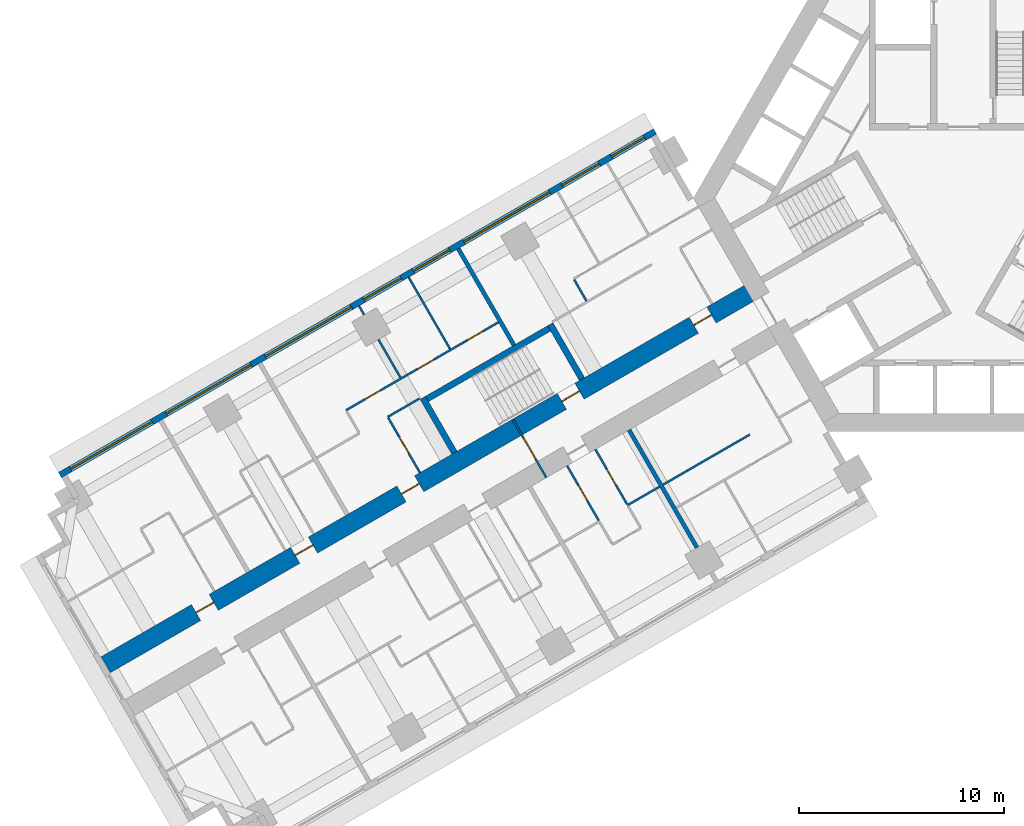
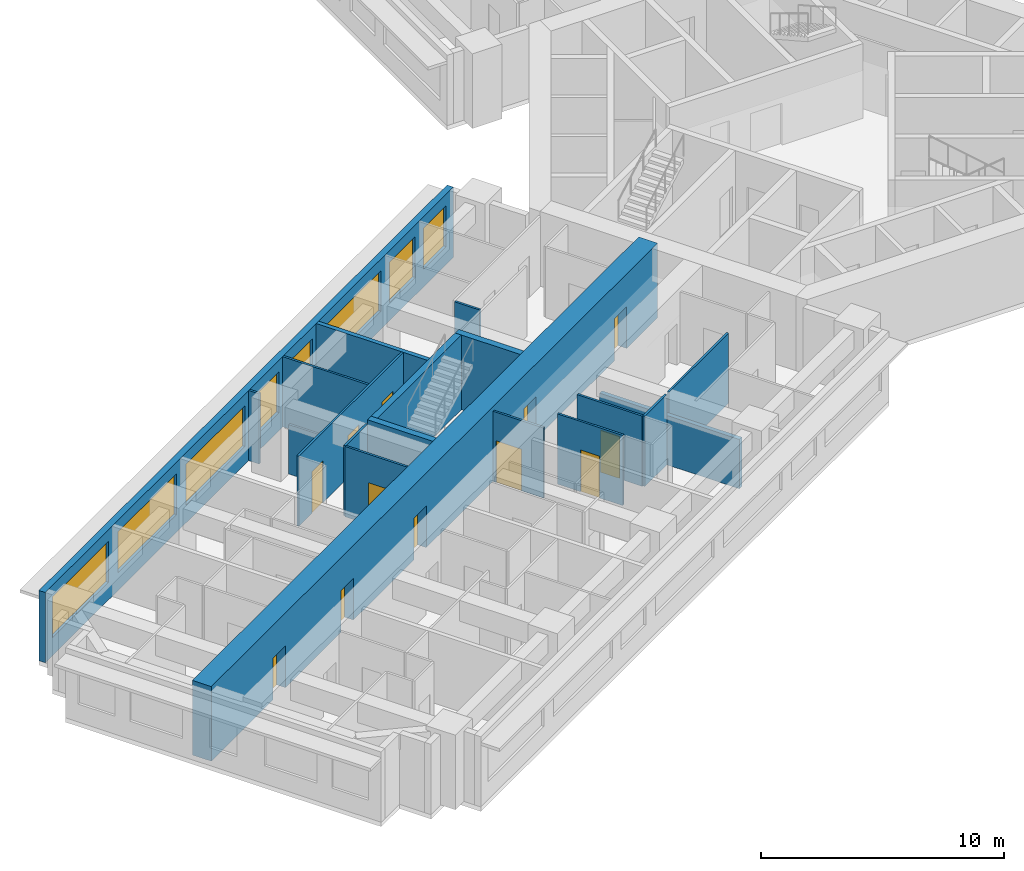
# One storey, part 5 of 16: 19 walls, 12 doors, 8 windows, 20 openings.
"""IFC4 building model written with IfcOpenShell, lengths in metres."""

from ifc_helpers import new_model, si_unit, direction, frame, frame_2d, origin, place, context, subcontext, project, spatial, rectangle, extrude, material, layer, layer_set, type_object, element, fill, save


model = new_model("IFC4")

# Units and contexts
model_context = context("Model", 3, precision=1e-05, world=origin(), true_north=direction((0.0, 1.0)))
body_context = subcontext(model_context, "Body", "Model", "MODEL_VIEW")
ifc_project = project(units=[si_unit("LENGTHUNIT", "METRE"), si_unit("AREAUNIT", "SQUARE_METRE"), si_unit("VOLUMEUNIT", "CUBIC_METRE"), si_unit("PLANEANGLEUNIT", "RADIAN"), si_unit("MASSUNIT", "GRAM", prefix="KILO")], contexts=[model_context])

# Site, building, storey
site_placement = place(None, origin())
site = spatial("IfcSite", under=ifc_project, at=site_placement, CompositionType="ELEMENT")
building_placement = place(site_placement, origin())
building = spatial("IfcBuilding", under=site, at=building_placement, Name="Impinga Residences", CompositionType="ELEMENT")
storey_placement = place(building_placement, frame((0.0, 0.0, 59.75)))
storey = spatial("IfcBuildingStorey", under=building, at=storey_placement, Name="L14", CompositionType="ELEMENT", Elevation=59.75)

# Wall, openings, doors
ifc_material_1 = material(Name="Concrete C70/85", Category="concrete")
ifc_layer_1 = layer(ifc_material_1, 0.89990234375)
ifc_layer_set_1 = layer_set([ifc_layer_1], Name="Concrete C70/85")
wall_type_1 = type_object("IfcWallType", Name="BW1 corridor buttress wall, L05 to L22 900", PredefinedType="SHEAR", material=ifc_layer_set_1)
wall_1_placement = place(storey_placement, frame((-10.1103515625, -4.451416015625, 0.0), z_axis=(0.0, 0.0, 1.0), x_axis=(-0.866025284237, -0.500000207062, 0.0)))
wall_1 = element("IfcWall", 1, at=wall_1_placement, inside=storey, type_object=wall_type_1, Name="Corridor wall BW1 WD L14", PredefinedType="SHEAR", context=body_context, shape_type="SweptSolid", body=[
    extrude(rectangle(XDim=36.75, YDim=0.89990234375, at=frame_2d((18.375, 0.0))), origin(), (0.0, 0.0, 1.0), 3.75),
])
opening_1_placement = place(wall_1_placement, frame((10.0, 0.0, 0.0)))
opening_1 = element("IfcOpeningElement", 2, at=opening_1_placement, cuts=wall_1, Name="Opening D5", PredefinedType="OPENING", context=body_context, shape_type="SweptSolid", body=[
    extrude(rectangle(XDim=1.0, YDim=2.10009765625, at=frame_2d((0.5, 1.050048828125))), frame((0.0, 0.4599609375, 0.0), z_axis=(0.0, -1.0, 0.0), x_axis=(1.0, 0.0, 0.0)), (0.0, 0.0, 1.0), 0.919921875),
])
opening_2_placement = place(wall_1_placement, frame((2.550048828125, 0.0, 0.0)))
opening_2 = element("IfcOpeningElement", 3, at=opening_2_placement, cuts=wall_1, Name="Opening D1", PredefinedType="OPENING", context=body_context, shape_type="SweptSolid", body=[
    extrude(rectangle(XDim=1.0, YDim=2.10009765625, at=frame_2d((0.5, 1.050048828125))), frame((0.0, 0.4599609375, 0.0), z_axis=(0.0, -1.0, 0.0), x_axis=(1.0, 0.0, 0.0)), (0.0, 0.0, 1.0), 0.919921875),
])
opening_3_placement = place(wall_1_placement, frame((19.050048828125, 0.0, 0.0)))
opening_3 = element("IfcOpeningElement", 4, at=opening_3_placement, cuts=wall_1, Name="Opening D1", PredefinedType="OPENING", context=body_context, shape_type="SweptSolid", body=[
    extrude(rectangle(XDim=1.0, YDim=2.10009765625, at=frame_2d((0.5, 1.050048828125))), frame((0.0, 0.4599609375, 0.0), z_axis=(0.0, -1.0, 0.0), x_axis=(1.0, 0.0, 0.0)), (0.0, 0.0, 1.0), 0.919921875),
])
opening_4_placement = place(wall_1_placement, frame((25.050048828125, 0.0, 0.0)))
opening_4 = element("IfcOpeningElement", 5, at=opening_4_placement, cuts=wall_1, Name="Opening D1", PredefinedType="OPENING", context=body_context, shape_type="SweptSolid", body=[
    extrude(rectangle(XDim=1.0, YDim=2.10009765625, at=frame_2d((0.5, 1.050048828125))), frame((0.0, 0.4599609375, 0.0), z_axis=(0.0, -1.0, 0.0), x_axis=(1.0, 0.0, 0.0)), (0.0, 0.0, 1.0), 0.919921875),
])
opening_5_placement = place(wall_1_placement, frame((30.64990234375, 0.0, 0.0)))
opening_5 = element("IfcOpeningElement", 6, at=opening_5_placement, cuts=wall_1, Name="Opening D1", PredefinedType="OPENING", context=body_context, shape_type="SweptSolid", body=[
    extrude(rectangle(XDim=1.0, YDim=2.10009765625, at=frame_2d((0.5, 1.050048828125))), frame((0.0, 0.4599609375, 0.0), z_axis=(0.0, -1.0, 0.0), x_axis=(1.0, 0.0, 0.0)), (0.0, 0.0, 1.0), 0.919921875),
])
ifc_material_2 = material(Name="Timber door set", Category="wood")
door_type_1 = type_object("IfcDoorType", Name="D1 apartment entrance door 1000x2100", OperationType="SINGLE_SWING_LEFT", PredefinedType="DOOR", material=ifc_material_2)
door_1_placement = place(opening_2_placement, origin())
door_1 = element("IfcDoor", 7, at=door_1_placement, inside=storey, type_object=door_type_1, Name="Apartment L14-WF1 entrance", OperationType="SINGLE_SWING_LEFT", OverallHeight=2.10009765625, OverallWidth=1.0, PredefinedType="DOOR", context=body_context, shape_type="SweptSolid", body=[
    extrude(rectangle(XDim=1.0, YDim=2.10009765625, at=frame_2d((0.5, 1.050048828125))), frame((0.0, 0.02490234375, 0.0), z_axis=(0.0, -1.0, 0.0), x_axis=(1.0, 0.0, 0.0)), (0.0, 0.0, 1.0), 0.050048828125),
])
fill(opening_2, door_1)
door_2_placement = place(opening_3_placement, origin())
door_2 = element("IfcDoor", 8, at=door_2_placement, inside=storey, type_object=door_type_1, Name="Apartment L14-WF2 entrance", OperationType="SINGLE_SWING_RIGHT", OverallHeight=2.10009765625, OverallWidth=1.0, PredefinedType="DOOR", context=body_context, shape_type="SweptSolid", body=[
    extrude(rectangle(XDim=1.0, YDim=2.10009765625, at=frame_2d((0.5, 1.050048828125))), frame((0.0, 0.02490234375, 0.0), z_axis=(0.0, -1.0, 0.0), x_axis=(1.0, 0.0, 0.0)), (0.0, 0.0, 1.0), 0.050048828125),
])
fill(opening_3, door_2)
door_3_placement = place(opening_4_placement, origin())
door_3 = element("IfcDoor", 9, at=door_3_placement, inside=storey, type_object=door_type_1, Name="Apartment L14-WF3 entrance", OperationType="SINGLE_SWING_RIGHT", OverallHeight=2.10009765625, OverallWidth=1.0, PredefinedType="DOOR", context=body_context, shape_type="SweptSolid", body=[
    extrude(rectangle(XDim=1.0, YDim=2.10009765625, at=frame_2d((0.5, 1.050048828125))), frame((0.0, 0.02490234375, 0.0), z_axis=(0.0, -1.0, 0.0), x_axis=(1.0, 0.0, 0.0)), (0.0, 0.0, 1.0), 0.050048828125),
])
fill(opening_4, door_3)
door_4_placement = place(opening_5_placement, origin())
door_4 = element("IfcDoor", 10, at=door_4_placement, inside=storey, type_object=door_type_1, Name="Apartment L14-WF4 entrance", OperationType="SINGLE_SWING_RIGHT", OverallHeight=2.10009765625, OverallWidth=1.0, PredefinedType="DOOR", context=body_context, shape_type="SweptSolid", body=[
    extrude(rectangle(XDim=1.0, YDim=2.10009765625, at=frame_2d((0.5, 1.050048828125))), frame((0.0, 0.02490234375, 0.0), z_axis=(0.0, -1.0, 0.0), x_axis=(1.0, 0.0, 0.0)), (0.0, 0.0, 1.0), 0.050048828125),
])
fill(opening_5, door_4)
door_type_2 = type_object("IfcDoorType", Name="D5 stair door 1000x2100", OperationType="SINGLE_SWING_LEFT", PredefinedType="DOOR", material=ifc_material_2)
door_5_placement = place(opening_1_placement, origin())
door_5 = element("IfcDoor", 11, at=door_5_placement, inside=storey, type_object=door_type_2, Name="Wing stair door W", OperationType="SINGLE_SWING_LEFT", OverallHeight=2.10009765625, OverallWidth=1.0, PredefinedType="DOOR", context=body_context, shape_type="SweptSolid", body=[
    extrude(rectangle(XDim=1.0, YDim=2.10009765625, at=frame_2d((0.5, 1.050048828125))), frame((0.0, 0.02490234375, 0.0), z_axis=(0.0, -1.0, 0.0), x_axis=(1.0, 0.0, 0.0)), (0.0, 0.0, 1.0), 0.050048828125),
])
fill(opening_1, door_5)

# Wall, opening, door
ifc_material_3 = material(Name="Concrete blockwork", Category="masonry")
ifc_layer_2 = layer(ifc_material_3, 0.10009765625)
ifc_layer_set_2 = layer_set([ifc_layer_2], Name="CP1 core room partition, blockwork 100")
wall_type_2 = type_object("IfcWallType", Name="CP1 core room partition, blockwork 100", PredefinedType="PARTITIONING", material=ifc_layer_set_2)
wall_2_placement = place(storey_placement, frame((-20.392578125, -13.678955078125, 0.0), z_axis=(0.0, 0.0, 1.0), x_axis=(-0.50002983664, 0.866008176907, 0.0)))
wall_2 = element("IfcWall", 12, at=wall_2_placement, inside=storey, type_object=wall_type_2, Name="Core room partition, blockwork L14:W:SCR", PredefinedType="PARTITIONING", context=body_context, shape_type="SweptSolid", body=[
    extrude(rectangle(XDim=3.300048828125, YDim=0.10009765625, at=frame_2d((1.64990234375, 0.0))), origin(), (0.0, 0.0, 1.0), 3.530029296875),
])
opening_6_placement = place(wall_2_placement, frame((1.050048828125, 0.0, 0.0)))
opening_6 = element("IfcOpeningElement", 13, at=opening_6_placement, cuts=wall_2, Name="Opening D3", PredefinedType="OPENING", context=body_context, shape_type="SweptSolid", body=[
    extrude(rectangle(XDim=1.199951171875, YDim=2.10009765625, at=frame_2d((0.60009765625, 1.050048828125))), frame((0.0, 0.06005859375, 0.0), z_axis=(0.0, -1.0, 0.0), x_axis=(1.0, 0.0, 0.0)), (0.0, 0.0, 1.0), 0.1201171875),
])
door_type_3 = type_object("IfcDoorType", Name="D3 room door, leaf and a half 1200x2100", OperationType="DOUBLE_SWING_LEFT", PredefinedType="DOOR", material=ifc_material_2)
door_6_placement = place(opening_6_placement, origin())
door_6 = element("IfcDoor", 14, at=door_6_placement, inside=storey, type_object=door_type_3, Name="Corridor smoke door W", OperationType="DOUBLE_SWING_LEFT", OverallHeight=2.10009765625, OverallWidth=1.199951171875, PredefinedType="DOOR", context=body_context, shape_type="SweptSolid", body=[
    extrude(rectangle(XDim=1.199951171875, YDim=2.10009765625, at=frame_2d((0.60009765625, 1.050048828125))), frame((0.0, 0.02490234375, 0.0), z_axis=(0.0, -1.0, 0.0), x_axis=(1.0, 0.0, 0.0)), (0.0, 0.0, 1.0), 0.050048828125),
])
fill(opening_6, door_6)

# Wall, openings, windows
ifc_material_4 = material(Name="Terracotta rainscreen on blockwork", Category="masonry")
ifc_layer_3 = layer(ifc_material_4, 0.300048828125)
ifc_layer_set_3 = layer_set([ifc_layer_3], Name="EW1 external wall, terracotta rainscreen on blockwork 300")
wall_type_3 = type_object("IfcWallType", Name="EW1 external wall, terracotta rainscreen on blockwork 300", PredefinedType="SOLIDWALL", material=ifc_layer_set_3)
wall_3_placement = place(storey_placement, frame((-44.17333984375, -13.552490234375, 0.0), z_axis=(0.0, 0.0, 1.0), x_axis=(0.866024291668, 0.500001926238, 0.0)))
wall_3 = element("IfcWall", 15, at=wall_3_placement, inside=storey, type_object=wall_type_3, Name="External wall EW1 L14", PredefinedType="SOLIDWALL", context=body_context, shape_type="SweptSolid", body=[
    extrude(rectangle(XDim=33.599853515625, YDim=0.300048828125, at=frame_2d((16.7998046875, 0.0))), origin(), (0.0, 0.0, 1.0), 3.530029296875),
])
opening_7_placement = place(wall_3_placement, frame((0.60009765625, 0.0, 0.89990234375)))
opening_7 = element("IfcOpeningElement", 16, at=opening_7_placement, cuts=wall_3, Name="Opening W3", PredefinedType="OPENING", context=body_context, shape_type="SweptSolid", body=[
    extrude(rectangle(XDim=4.60009765625, YDim=2.050048828125, at=frame_2d((2.300048828125, 1.02490234375))), frame((0.0, 0.159912109375, 0.0), z_axis=(0.0, -1.0, 0.0), x_axis=(1.0, 0.0, 0.0)), (0.0, 0.0, 1.0), 0.320068359375),
])
opening_8_placement = place(wall_3_placement, frame((6.0, 0.0, 0.89990234375)))
opening_8 = element("IfcOpeningElement", 17, at=opening_8_placement, cuts=wall_3, Name="Opening W8", PredefinedType="OPENING", context=body_context, shape_type="SweptSolid", body=[
    extrude(rectangle(XDim=4.800048828125, YDim=2.050048828125, at=frame_2d((2.39990234375, 1.02490234375))), frame((0.0, 0.159912109375, 0.0), z_axis=(0.0, -1.0, 0.0), x_axis=(1.0, 0.0, 0.0)), (0.0, 0.0, 1.0), 0.320068359375),
])
opening_9_placement = place(wall_3_placement, frame((11.60009765625, 0.0, 0.89990234375)))
opening_9 = element("IfcOpeningElement", 18, at=opening_9_placement, cuts=wall_3, Name="Opening W6", PredefinedType="OPENING", context=body_context, shape_type="SweptSolid", body=[
    extrude(rectangle(XDim=4.85009765625, YDim=2.050048828125, at=frame_2d((2.425048828125, 1.02490234375))), frame((0.0, 0.159912109375, 0.0), z_axis=(0.0, -1.0, 0.0), x_axis=(1.0, 0.0, 0.0)), (0.0, 0.0, 1.0), 0.320068359375),
])
opening_10_placement = place(wall_3_placement, frame((17.14990234375, 0.0, 0.89990234375)))
opening_10 = element("IfcOpeningElement", 19, at=opening_10_placement, cuts=wall_3, Name="Opening W9", PredefinedType="OPENING", context=body_context, shape_type="SweptSolid", body=[
    extrude(rectangle(XDim=2.10009765625, YDim=2.050048828125, at=frame_2d((1.050048828125, 1.02490234375))), frame((0.0, 0.159912109375, 0.0), z_axis=(0.0, -1.0, 0.0), x_axis=(1.0, 0.0, 0.0)), (0.0, 0.0, 1.0), 0.320068359375),
])
opening_11_placement = place(wall_3_placement, frame((19.949951171875, 0.0, 0.89990234375)))
opening_11 = element("IfcOpeningElement", 20, at=opening_11_placement, cuts=wall_3, Name="Opening W14", PredefinedType="OPENING", context=body_context, shape_type="SweptSolid", body=[
    extrude(rectangle(XDim=2.050048828125, YDim=2.050048828125, at=frame_2d((1.02490234375, 1.02490234375))), frame((0.0, 0.159912109375, 0.0), z_axis=(0.0, -1.0, 0.0), x_axis=(1.0, 0.0, 0.0)), (0.0, 0.0, 1.0), 0.320068359375),
])
opening_12_placement = place(wall_3_placement, frame((22.800048828125, 0.0, 0.89990234375)))
opening_12 = element("IfcOpeningElement", 21, at=opening_12_placement, cuts=wall_3, Name="Opening W6", PredefinedType="OPENING", context=body_context, shape_type="SweptSolid", body=[
    extrude(rectangle(XDim=4.85009765625, YDim=2.050048828125, at=frame_2d((2.425048828125, 1.02490234375))), frame((0.0, 0.159912109375, 0.0), z_axis=(0.0, -1.0, 0.0), x_axis=(1.0, 0.0, 0.0)), (0.0, 0.0, 1.0), 0.320068359375),
])
opening_13_placement = place(wall_3_placement, frame((28.35009765625, 0.0, 0.89990234375)))
opening_13 = element("IfcOpeningElement", 22, at=opening_13_placement, cuts=wall_3, Name="Opening W9", PredefinedType="OPENING", context=body_context, shape_type="SweptSolid", body=[
    extrude(rectangle(XDim=2.10009765625, YDim=2.050048828125, at=frame_2d((1.050048828125, 1.02490234375))), frame((0.0, 0.159912109375, 0.0), z_axis=(0.0, -1.0, 0.0), x_axis=(1.0, 0.0, 0.0)), (0.0, 0.0, 1.0), 0.320068359375),
])
opening_14_placement = place(wall_3_placement, frame((31.14990234375, 0.0, 0.89990234375)))
opening_14 = element("IfcOpeningElement", 23, at=opening_14_placement, cuts=wall_3, Name="Opening W15", PredefinedType="OPENING", context=body_context, shape_type="SweptSolid", body=[
    extrude(rectangle(XDim=1.85009765625, YDim=2.050048828125, at=frame_2d((0.925048828125, 1.02490234375))), frame((0.0, 0.159912109375, 0.0), z_axis=(0.0, -1.0, 0.0), x_axis=(1.0, 0.0, 0.0)), (0.0, 0.0, 1.0), 0.320068359375),
])
ifc_material_5 = material(Name="Aluminium window, clear double glazing", Category="aluminium")
window_type_1 = type_object("IfcWindowType", Name="W14 ribbon window 2050x2050", PartitioningType="SINGLE_PANEL", PredefinedType="WINDOW", material=ifc_material_5)
window_1_placement = place(opening_11_placement, origin())
window_1 = element("IfcWindow", 24, at=window_1_placement, inside=storey, type_object=window_type_1, Name="Window L14", OverallHeight=2.050048828125, OverallWidth=2.050048828125, PartitioningType="SINGLE_PANEL", PredefinedType="WINDOW", context=body_context, shape_type="SweptSolid", body=[
    extrude(rectangle(XDim=2.050048828125, YDim=2.050048828125, at=frame_2d((1.02490234375, 1.02490234375))), frame((0.0, 0.030029296875, 0.0), z_axis=(0.0, -1.0, 0.0), x_axis=(1.0, 0.0, 0.0)), (0.0, 0.0, 1.0), 0.06005859375),
])
fill(opening_11, window_1)
window_type_2 = type_object("IfcWindowType", Name="W15 ribbon window 1850x2050", PartitioningType="SINGLE_PANEL", PredefinedType="WINDOW", material=ifc_material_5)
window_2_placement = place(opening_14_placement, origin())
window_2 = element("IfcWindow", 25, at=window_2_placement, inside=storey, type_object=window_type_2, Name="Window L14", OverallHeight=2.050048828125, OverallWidth=1.85009765625, PartitioningType="SINGLE_PANEL", PredefinedType="WINDOW", context=body_context, shape_type="SweptSolid", body=[
    extrude(rectangle(XDim=1.85009765625, YDim=2.050048828125, at=frame_2d((0.925048828125, 1.02490234375))), frame((0.0, 0.030029296875, 0.0), z_axis=(0.0, -1.0, 0.0), x_axis=(1.0, 0.0, 0.0)), (0.0, 0.0, 1.0), 0.06005859375),
])
fill(opening_14, window_2)
window_type_3 = type_object("IfcWindowType", Name="W3 ribbon window 4600x2050", PartitioningType="SINGLE_PANEL", PredefinedType="WINDOW", material=ifc_material_5)
window_3_placement = place(opening_7_placement, origin())
window_3 = element("IfcWindow", 26, at=window_3_placement, inside=storey, type_object=window_type_3, Name="Window L14", OverallHeight=2.050048828125, OverallWidth=4.60009765625, PartitioningType="SINGLE_PANEL", PredefinedType="WINDOW", context=body_context, shape_type="SweptSolid", body=[
    extrude(rectangle(XDim=4.60009765625, YDim=2.050048828125, at=frame_2d((2.300048828125, 1.02490234375))), frame((0.0, 0.030029296875, 0.0), z_axis=(0.0, -1.0, 0.0), x_axis=(1.0, 0.0, 0.0)), (0.0, 0.0, 1.0), 0.06005859375),
])
fill(opening_7, window_3)
window_type_4 = type_object("IfcWindowType", Name="W6 ribbon window 4850x2050", PartitioningType="SINGLE_PANEL", PredefinedType="WINDOW", material=ifc_material_5)
window_4_placement = place(opening_9_placement, origin())
window_4 = element("IfcWindow", 27, at=window_4_placement, inside=storey, type_object=window_type_4, Name="Window L14", OverallHeight=2.050048828125, OverallWidth=4.85009765625, PartitioningType="SINGLE_PANEL", PredefinedType="WINDOW", context=body_context, shape_type="SweptSolid", body=[
    extrude(rectangle(XDim=4.85009765625, YDim=2.050048828125, at=frame_2d((2.425048828125, 1.02490234375))), frame((0.0, 0.030029296875, 0.0), z_axis=(0.0, -1.0, 0.0), x_axis=(1.0, 0.0, 0.0)), (0.0, 0.0, 1.0), 0.06005859375),
])
fill(opening_9, window_4)
window_5_placement = place(opening_12_placement, origin())
window_5 = element("IfcWindow", 28, at=window_5_placement, inside=storey, type_object=window_type_4, Name="Window L14", OverallHeight=2.050048828125, OverallWidth=4.85009765625, PartitioningType="SINGLE_PANEL", PredefinedType="WINDOW", context=body_context, shape_type="SweptSolid", body=[
    extrude(rectangle(XDim=4.85009765625, YDim=2.050048828125, at=frame_2d((2.425048828125, 1.02490234375))), frame((0.0, 0.030029296875, 0.0), z_axis=(0.0, -1.0, 0.0), x_axis=(1.0, 0.0, 0.0)), (0.0, 0.0, 1.0), 0.06005859375),
])
fill(opening_12, window_5)
window_type_5 = type_object("IfcWindowType", Name="W8 ribbon window 4800x2050", PartitioningType="SINGLE_PANEL", PredefinedType="WINDOW", material=ifc_material_5)
window_6_placement = place(opening_8_placement, origin())
window_6 = element("IfcWindow", 29, at=window_6_placement, inside=storey, type_object=window_type_5, Name="Window L14", OverallHeight=2.050048828125, OverallWidth=4.800048828125, PartitioningType="SINGLE_PANEL", PredefinedType="WINDOW", context=body_context, shape_type="SweptSolid", body=[
    extrude(rectangle(XDim=4.800048828125, YDim=2.050048828125, at=frame_2d((2.39990234375, 1.02490234375))), frame((0.0, 0.030029296875, 0.0), z_axis=(0.0, -1.0, 0.0), x_axis=(1.0, 0.0, 0.0)), (0.0, 0.0, 1.0), 0.06005859375),
])
fill(opening_8, window_6)
window_type_6 = type_object("IfcWindowType", Name="W9 ribbon window 2100x2050", PartitioningType="SINGLE_PANEL", PredefinedType="WINDOW", material=ifc_material_5)
window_7_placement = place(opening_10_placement, origin())
window_7 = element("IfcWindow", 30, at=window_7_placement, inside=storey, type_object=window_type_6, Name="Window L14", OverallHeight=2.050048828125, OverallWidth=2.10009765625, PartitioningType="SINGLE_PANEL", PredefinedType="WINDOW", context=body_context, shape_type="SweptSolid", body=[
    extrude(rectangle(XDim=2.10009765625, YDim=2.050048828125, at=frame_2d((1.050048828125, 1.02490234375))), frame((0.0, 0.030029296875, 0.0), z_axis=(0.0, -1.0, 0.0), x_axis=(1.0, 0.0, 0.0)), (0.0, 0.0, 1.0), 0.06005859375),
])
fill(opening_10, window_7)
window_8_placement = place(opening_13_placement, origin())
window_8 = element("IfcWindow", 31, at=window_8_placement, inside=storey, type_object=window_type_6, Name="Window L14", OverallHeight=2.050048828125, OverallWidth=2.10009765625, PartitioningType="SINGLE_PANEL", PredefinedType="WINDOW", context=body_context, shape_type="SweptSolid", body=[
    extrude(rectangle(XDim=2.10009765625, YDim=2.050048828125, at=frame_2d((1.050048828125, 1.02490234375))), frame((0.0, 0.030029296875, 0.0), z_axis=(0.0, -1.0, 0.0), x_axis=(1.0, 0.0, 0.0)), (0.0, 0.0, 1.0), 0.06005859375),
])
fill(opening_13, window_8)

# Walls
ifc_material_6 = material(Name="Gypsum board on steel studs", Category="steel")
ifc_layer_4 = layer(ifc_material_6, 0.10009765625)
ifc_layer_set_4 = layer_set([ifc_layer_4], Name="Gypsum board on steel studs")
wall_type_4 = type_object("IfcWallType", Name="IP1 partition 100", PredefinedType="PARTITIONING", material=ifc_layer_set_4)
wall_4_placement = place(storey_placement, frame((-10.444580078125, -11.57275390625, 0.0), z_axis=(0.0, 0.0, 1.0), x_axis=(-0.866023786258, -0.500002801628, 0.0)))
element("IfcWall", 32, at=wall_4_placement, inside=storey, type_object=wall_type_4, Name="Partition L14-WA1:DIV1", PredefinedType="PARTITIONING", context=body_context, shape_type="SweptSolid", body=[
    extrude(rectangle(XDim=4.89990234375, YDim=0.10009765625, at=frame_2d((2.449951171875, 0.0))), origin(), (0.0, 0.0, 1.0), 3.530029296875),
])
wall_5_placement = place(storey_placement, frame((-14.861328125, -14.122802734375, 0.0), z_axis=(0.0, 0.0, 1.0), x_axis=(-0.866047807691, -0.499961193289, 0.0)))
element("IfcWall", 33, at=wall_5_placement, inside=storey, type_object=wall_type_4, Name="Partition L14-WA2:DIV0", PredefinedType="PARTITIONING", context=body_context, shape_type="SweptSolid", body=[
    extrude(rectangle(XDim=1.800048828125, YDim=0.10009765625, at=frame_2d((0.89990234375, 0.0))), origin(), (0.0, 0.0, 1.0), 3.530029296875),
])

# Wall, opening, door
wall_6_placement = place(storey_placement, frame((-17.9951171875, -12.294677734375, 0.0), z_axis=(0.0, 0.0, 1.0), x_axis=(0.49999285859, -0.86602952684, 0.0)))
wall_6 = element("IfcWall", 34, at=wall_6_placement, inside=storey, type_object=wall_type_4, Name="Partition L14-WA2:IB1", PredefinedType="PARTITIONING", context=body_context, shape_type="SweptSolid", body=[
    extrude(rectangle(XDim=3.10009765625, YDim=0.10009765625, at=frame_2d((1.550048828125, 0.0))), origin(), (0.0, 0.0, 1.0), 3.530029296875),
])
opening_15_placement = place(wall_6_placement, frame((1.10009765625, 0.0, 0.0)))
opening_15 = element("IfcOpeningElement", 35, at=opening_15_placement, cuts=wall_6, Name="Opening D2", PredefinedType="OPENING", context=body_context, shape_type="SweptSolid", body=[
    extrude(rectangle(XDim=0.89990234375, YDim=2.10009765625, at=frame_2d((0.449951171875, 1.050048828125))), frame((0.0, 0.06005859375, 0.0), z_axis=(0.0, -1.0, 0.0), x_axis=(1.0, 0.0, 0.0)), (0.0, 0.0, 1.0), 0.1201171875),
])
door_type_4 = type_object("IfcDoorType", Name="D2 internal door 900x2100", OperationType="SINGLE_SWING_LEFT", PredefinedType="DOOR", material=ifc_material_2)
door_7_placement = place(opening_15_placement, origin())
door_7 = element("IfcDoor", 36, at=door_7_placement, inside=storey, type_object=door_type_4, Name="Apartment L14-WA2 bathroom door", OperationType="SINGLE_SWING_LEFT", OverallHeight=2.10009765625, OverallWidth=0.89990234375, PredefinedType="DOOR", context=body_context, shape_type="SweptSolid", body=[
    extrude(rectangle(XDim=0.89990234375, YDim=2.10009765625, at=frame_2d((0.449951171875, 1.050048828125))), frame((0.0, 0.02490234375, 0.0), z_axis=(0.0, -1.0, 0.0), x_axis=(1.0, 0.0, 0.0)), (0.0, 0.0, 1.0), 0.050048828125),
])
fill(opening_15, door_7)

wall_7_placement = place(storey_placement, frame((-19.380615234375, -13.0947265625, 0.0), z_axis=(0.0, 0.0, 1.0), x_axis=(0.499967891604, -0.866043940782, 0.0)))
wall_7 = element("IfcWall", 37, at=wall_7_placement, inside=storey, type_object=wall_type_4, Name="Partition L14-WA2:IB2", PredefinedType="PARTITIONING", context=body_context, shape_type="SweptSolid", body=[
    extrude(rectangle(XDim=3.099853515625, YDim=0.10009765625, at=frame_2d((1.5498046875, 0.0))), origin(), (0.0, 0.0, 1.0), 3.530029296875),
])
opening_16_placement = place(wall_7_placement, frame((1.10009765625, 0.0, 0.0)))
opening_16 = element("IfcOpeningElement", 38, at=opening_16_placement, cuts=wall_7, Name="Opening D2", PredefinedType="OPENING", context=body_context, shape_type="SweptSolid", body=[
    extrude(rectangle(XDim=0.89990234375, YDim=2.10009765625, at=frame_2d((0.449951171875, 1.050048828125))), frame((0.0, 0.06005859375, 0.0), z_axis=(0.0, -1.0, 0.0), x_axis=(1.0, 0.0, 0.0)), (0.0, 0.0, 1.0), 0.1201171875),
])
door_8_placement = place(opening_16_placement, origin())
door_8 = element("IfcDoor", 39, at=door_8_placement, inside=storey, type_object=door_type_4, Name="Apartment L14-WA2 WC door", OperationType="SINGLE_SWING_LEFT", OverallHeight=2.10009765625, OverallWidth=0.89990234375, PredefinedType="DOOR", context=body_context, shape_type="SweptSolid", body=[
    extrude(rectangle(XDim=0.89990234375, YDim=2.10009765625, at=frame_2d((0.449951171875, 1.050048828125))), frame((0.0, 0.02490234375, 0.0), z_axis=(0.0, -1.0, 0.0), x_axis=(1.0, 0.0, 0.0)), (0.0, 0.0, 1.0), 0.050048828125),
])
fill(opening_16, door_8)

# Walls
wall_8_placement = place(storey_placement, frame((-18.430419921875, -5.04052734375, 0.0), z_axis=(0.0, 0.0, 1.0), x_axis=(-0.500033551112, 0.866006032174, 0.0)))
element("IfcWall", 40, at=wall_8_placement, inside=storey, type_object=wall_type_4, Name="Partition L14-WF1:SE1", PredefinedType="PARTITIONING", context=body_context, shape_type="SweptSolid", body=[
    extrude(rectangle(XDim=1.2001953125, YDim=0.10009765625, at=frame_2d((0.60009765625, 0.0))), origin(), (0.0, 0.0, 1.0), 3.530029296875),
])
wall_9_placement = place(storey_placement, frame((-26.58935546875, -9.808837890625, 0.0), z_axis=(0.0, 0.0, 1.0), x_axis=(-0.866047807691, -0.499961193289, 0.0)))
element("IfcWall", 41, at=wall_9_placement, inside=storey, type_object=wall_type_4, Name="Partition L14-WF2:DIV0", PredefinedType="PARTITIONING", context=body_context, shape_type="SweptSolid", body=[
    extrude(rectangle(XDim=1.800048828125, YDim=0.10009765625, at=frame_2d((0.89990234375, 0.0))), origin(), (0.0, 0.0, 1.0), 3.530029296875),
])

# Wall, openings, doors
wall_10_placement = place(storey_placement, frame((-22.736083984375, -6.0830078125, 0.0), z_axis=(0.0, 0.0, 1.0), x_axis=(-0.866021068297, -0.500007509209, 0.0)))
wall_10 = element("IfcWall", 42, at=wall_10_placement, inside=storey, type_object=wall_type_4, Name="Partition L14-WF2:STRIP", PredefinedType="PARTITIONING", context=body_context, shape_type="SweptSolid", body=[
    extrude(rectangle(XDim=8.599853515625, YDim=0.10009765625, at=frame_2d((4.2998046875, 0.0))), origin(), (0.0, 0.0, 1.0), 3.530029296875),
])
opening_17_placement = place(wall_10_placement, frame((0.875, 0.0, 0.0)))
opening_17 = element("IfcOpeningElement", 43, at=opening_17_placement, cuts=wall_10, Name="Opening D2", PredefinedType="OPENING", context=body_context, shape_type="SweptSolid", body=[
    extrude(rectangle(XDim=0.89990234375, YDim=2.10009765625, at=frame_2d((0.449951171875, 1.050048828125))), frame((0.0, 0.06005859375, 0.0), z_axis=(0.0, -1.0, 0.0), x_axis=(1.0, 0.0, 0.0)), (0.0, 0.0, 1.0), 0.1201171875),
])
opening_18_placement = place(wall_10_placement, frame((3.64990234375, 0.0, 0.0)))
opening_18 = element("IfcOpeningElement", 44, at=opening_18_placement, cuts=wall_10, Name="Opening D2", PredefinedType="OPENING", context=body_context, shape_type="SweptSolid", body=[
    extrude(rectangle(XDim=0.89990234375, YDim=2.10009765625, at=frame_2d((0.449951171875, 1.050048828125))), frame((0.0, 0.06005859375, 0.0), z_axis=(0.0, -1.0, 0.0), x_axis=(1.0, 0.0, 0.0)), (0.0, 0.0, 1.0), 0.1201171875),
])
opening_19_placement = place(wall_10_placement, frame((6.625, 0.0, 0.0)))
opening_19 = element("IfcOpeningElement", 45, at=opening_19_placement, cuts=wall_10, Name="Opening D2", PredefinedType="OPENING", context=body_context, shape_type="SweptSolid", body=[
    extrude(rectangle(XDim=0.89990234375, YDim=2.10009765625, at=frame_2d((0.449951171875, 1.050048828125))), frame((0.0, 0.06005859375, 0.0), z_axis=(0.0, -1.0, 0.0), x_axis=(1.0, 0.0, 0.0)), (0.0, 0.0, 1.0), 0.1201171875),
])
door_9_placement = place(opening_17_placement, origin())
door_9 = element("IfcDoor", 46, at=door_9_placement, inside=storey, type_object=door_type_4, Name="Apartment L14-WF2 room door", OperationType="SINGLE_SWING_LEFT", OverallHeight=2.10009765625, OverallWidth=0.89990234375, PredefinedType="DOOR", context=body_context, shape_type="SweptSolid", body=[
    extrude(rectangle(XDim=0.89990234375, YDim=2.10009765625, at=frame_2d((0.449951171875, 1.050048828125))), frame((0.0, 0.02490234375, 0.0), z_axis=(0.0, -1.0, 0.0), x_axis=(1.0, 0.0, 0.0)), (0.0, 0.0, 1.0), 0.050048828125),
])
fill(opening_17, door_9)
door_10_placement = place(opening_18_placement, origin())
door_10 = element("IfcDoor", 47, at=door_10_placement, inside=storey, type_object=door_type_4, Name="Apartment L14-WF2 room door", OperationType="SINGLE_SWING_LEFT", OverallHeight=2.10009765625, OverallWidth=0.89990234375, PredefinedType="DOOR", context=body_context, shape_type="SweptSolid", body=[
    extrude(rectangle(XDim=0.89990234375, YDim=2.10009765625, at=frame_2d((0.449951171875, 1.050048828125))), frame((0.0, 0.02490234375, 0.0), z_axis=(0.0, -1.0, 0.0), x_axis=(1.0, 0.0, 0.0)), (0.0, 0.0, 1.0), 0.050048828125),
])
fill(opening_18, door_10)
door_11_placement = place(opening_19_placement, origin())
door_11 = element("IfcDoor", 48, at=door_11_placement, inside=storey, type_object=door_type_4, Name="Apartment L14-WF2 room door", OperationType="SINGLE_SWING_RIGHT", OverallHeight=2.10009765625, OverallWidth=0.89990234375, PredefinedType="DOOR", context=body_context, shape_type="SweptSolid", body=[
    extrude(rectangle(XDim=0.89990234375, YDim=2.10009765625, at=frame_2d((0.449951171875, 1.050048828125))), frame((0.0, 0.02490234375, 0.0), z_axis=(0.0, -1.0, 0.0), x_axis=(1.0, 0.0, 0.0)), (0.0, 0.0, 1.0), 0.050048828125),
])
fill(opening_19, door_11)

# Wall, opening, door
wall_11_placement = place(storey_placement, frame((-26.5732421875, -13.436767578125, 0.0), z_axis=(0.0, 0.0, 1.0), x_axis=(-0.500026960575, 0.86600983753, 0.0)))
wall_11 = element("IfcWall", 49, at=wall_11_placement, inside=storey, type_object=wall_type_4, Name="Partition L14-WF2:IB1", PredefinedType="PARTITIONING", context=body_context, shape_type="SweptSolid", body=[
    extrude(rectangle(XDim=3.099853515625, YDim=0.10009765625, at=frame_2d((1.5498046875, 0.0))), origin(), (0.0, 0.0, 1.0), 3.530029296875),
])
opening_20_placement = place(wall_11_placement, frame((1.10009765625, 0.0, 0.0)))
opening_20 = element("IfcOpeningElement", 50, at=opening_20_placement, cuts=wall_11, Name="Opening D2", PredefinedType="OPENING", context=body_context, shape_type="SweptSolid", body=[
    extrude(rectangle(XDim=0.89990234375, YDim=2.10009765625, at=frame_2d((0.449951171875, 1.050048828125))), frame((0.0, 0.06005859375, 0.0), z_axis=(0.0, -1.0, 0.0), x_axis=(1.0, 0.0, 0.0)), (0.0, 0.0, 1.0), 0.1201171875),
])
door_12_placement = place(opening_20_placement, origin())
door_12 = element("IfcDoor", 51, at=door_12_placement, inside=storey, type_object=door_type_4, Name="Apartment L14-WF2 bathroom door", OperationType="SINGLE_SWING_LEFT", OverallHeight=2.10009765625, OverallWidth=0.89990234375, PredefinedType="DOOR", context=body_context, shape_type="SweptSolid", body=[
    extrude(rectangle(XDim=0.89990234375, YDim=2.10009765625, at=frame_2d((0.449951171875, 1.050048828125))), frame((0.0, 0.02490234375, 0.0), z_axis=(0.0, -1.0, 0.0), x_axis=(1.0, 0.0, 0.0)), (0.0, 0.0, 1.0), 0.050048828125),
])
fill(opening_20, door_12)

# Walls
wall_12_placement = place(storey_placement, frame((-25.099365234375, -7.3896484375, 0.0), z_axis=(0.0, 0.0, 1.0), x_axis=(-0.499990325971, 0.866030989016, 0.0)))
element("IfcWall", 52, at=wall_12_placement, inside=storey, type_object=wall_type_4, Name="Partition L14-WF2:OB1", PredefinedType="PARTITIONING", context=body_context, shape_type="SweptSolid", body=[
    extrude(rectangle(XDim=4.0498046875, YDim=0.10009765625, at=frame_2d((2.02490234375, 0.0))), origin(), (0.0, 0.0, 1.0), 3.530029296875),
])
wall_13_placement = place(storey_placement, frame((-27.524169921875, -8.789794921875, 0.0), z_axis=(0.0, 0.0, 1.0), x_axis=(-0.499961633463, 0.866047553582, 0.0)))
element("IfcWall", 53, at=wall_13_placement, inside=storey, type_object=wall_type_4, Name="Partition L14-WF2:OB2", PredefinedType="PARTITIONING", context=body_context, shape_type="SweptSolid", body=[
    extrude(rectangle(XDim=2.150146484375, YDim=0.10009765625, at=frame_2d((1.0751953125, 0.0))), origin(), (0.0, 0.0, 1.0), 2.47998046875),
])
wall_14_placement = place(storey_placement, frame((-29.29931640625, -5.71533203125, 0.0), z_axis=(0.0, 0.0, 1.0), x_axis=(-0.499919672301, 0.866071776036, 0.0)))
element("IfcWall", 54, at=wall_14_placement, inside=storey, type_object=wall_type_4, Name="Partition L14-WF2:OB2b", PredefinedType="PARTITIONING", context=body_context, shape_type="SweptSolid", body=[
    extrude(rectangle(XDim=0.5, YDim=0.10009765625, at=frame_2d((0.25, 0.0))), origin(), (0.0, 0.0, 1.0), 3.530029296875),
])
ifc_layer_5 = layer(ifc_material_3, 0.199951171875)
ifc_layer_set_5 = layer_set([ifc_layer_5], Name="PW1 party wall between apartments 200")
wall_type_5 = type_object("IfcWallType", Name="PW1 party wall between apartments 200", PredefinedType="SOLIDWALL", material=ifc_layer_set_5)
wall_15_placement = place(storey_placement, frame((-16.349609375, -11.3447265625, 0.0), z_axis=(0.0, 0.0, 1.0), x_axis=(0.49999681972, -0.866027239912, 0.0)))
element("IfcWall", 55, at=wall_15_placement, inside=storey, type_object=wall_type_5, Name="Party wall between apartments L14-WA1:PARTY", PredefinedType="SOLIDWALL", context=body_context, shape_type="SweptSolid", body=[
    extrude(rectangle(XDim=6.64990234375, YDim=0.199951171875, at=frame_2d((3.324951171875, 0.0))), origin(), (0.0, 0.0, 1.0), 2.47998046875),
])
wall_16_placement = place(storey_placement, frame((-21.974365234375, -7.2021484375, 0.0), z_axis=(0.0, 0.0, 1.0), x_axis=(-0.500022328685, 0.866012511928, 0.0)))
element("IfcWall", 56, at=wall_16_placement, inside=storey, type_object=wall_type_5, Name="Party wall between apartments L14-WF1:PARTY", PredefinedType="SOLIDWALL", context=body_context, shape_type="SweptSolid", body=[
    extrude(rectangle(XDim=5.449951171875, YDim=0.199951171875, at=frame_2d((2.72509765625, 0.0))), origin(), (0.0, 0.0, 1.0), 3.530029296875),
])
ifc_material_7 = material(Name="Concrete C60/75", Category="concrete")
ifc_layer_6 = layer(ifc_material_7, 0.300048828125)
ifc_layer_set_6 = layer_set([ifc_layer_6], Name="Concrete C60/75")
wall_type_6 = type_object("IfcWallType", Name="SE1 wing stair enclosure wall 300", PredefinedType="SOLIDWALL", material=ifc_layer_set_6)
wall_17_placement = place(storey_placement, frame((-18.649169921875, -8.86181640625, 0.0), z_axis=(0.0, 0.0, 1.0), x_axis=(-0.500026960575, 0.86600983753, 0.0)))
element("IfcWall", 57, at=wall_17_placement, inside=storey, type_object=wall_type_6, Name="Stair enclosure wall SE1 W END0 L14", PredefinedType="SOLIDWALL", context=body_context, shape_type="SweptSolid", body=[
    extrude(rectangle(XDim=3.099853515625, YDim=0.300048828125, at=frame_2d((1.5498046875, 0.0))), origin(), (0.0, 0.0, 1.0), 3.75),
])
wall_18_placement = place(storey_placement, frame((-24.884521484375, -12.4619140625, 0.0), z_axis=(0.0, 0.0, 1.0), x_axis=(-0.49999285859, 0.86602952684, 0.0)))
element("IfcWall", 58, at=wall_18_placement, inside=storey, type_object=wall_type_6, Name="Stair enclosure wall SE1 W END1 L14", PredefinedType="SOLIDWALL", context=body_context, shape_type="SweptSolid", body=[
    extrude(rectangle(XDim=3.10009765625, YDim=0.300048828125, at=frame_2d((1.550048828125, 0.0))), origin(), (0.0, 0.0, 1.0), 3.75),
])
wall_19_placement = place(storey_placement, frame((-20.254150390625, -6.382080078125, 0.0), z_axis=(0.0, 0.0, 1.0), x_axis=(-0.866020008033, -0.500009345598, 0.0)))
element("IfcWall", 59, at=wall_19_placement, inside=storey, type_object=wall_type_6, Name="Stair enclosure wall SE1 W OUT L14", PredefinedType="SOLIDWALL", context=body_context, shape_type="SweptSolid", body=[
    extrude(rectangle(XDim=6.899658203125, YDim=0.300048828125, at=frame_2d((3.44970703125, 0.0))), origin(), (0.0, 0.0, 1.0), 3.75),
])

save(model, "model.ifc")
